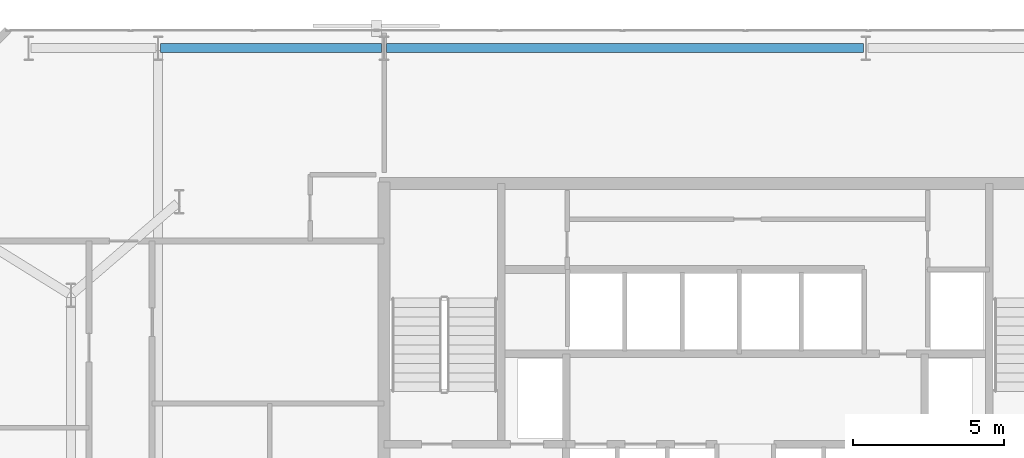
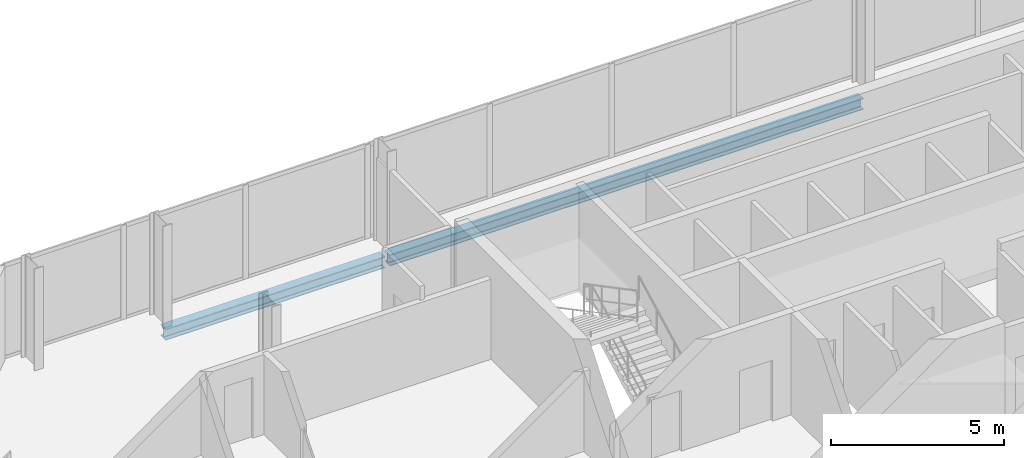
# One storey, part 21 of 33: 2 beams.
"""IFC4 building model written with IfcOpenShell, lengths in metres."""

from ifc_helpers import new_model, si_unit, direction, frame, origin, origin_2d, place, context, subcontext, project, spatial, i_section, extrude, material, material_profile, profile_set, type_object, element, save


model = new_model("IFC4")

# Units and contexts
model_context = context("Model", 3, precision=1e-05, world=origin(), true_north=direction((0.0, 1.0)))
body_context = subcontext(model_context, "Body", "Model", "MODEL_VIEW")
ifc_project = project(units=[si_unit("LENGTHUNIT", "METRE"), si_unit("AREAUNIT", "SQUARE_METRE"), si_unit("VOLUMEUNIT", "CUBIC_METRE"), si_unit("PLANEANGLEUNIT", "RADIAN"), si_unit("MASSUNIT", "GRAM", prefix="KILO")], contexts=[model_context])

# Site, building, storey
site_placement = place(None, origin())
site = spatial("IfcSite", under=ifc_project, at=site_placement, CompositionType="ELEMENT")
building_placement = place(site_placement, origin())
building = spatial("IfcBuilding", under=site, at=building_placement, Name="Catumbela Crestline Tower", CompositionType="ELEMENT")
storey_placement = place(building_placement, frame((0.0, 0.0, 72.6)))
storey = spatial("IfcBuildingStorey", under=building, at=storey_placement, Name="L18", CompositionType="ELEMENT", Elevation=72.6)

# Beams
ifc_material = material(Name="Structural steel S355J2", Category="steel")
ifc_material_profile = material_profile(ifc_material, i_section(OverallWidth=0.3, OverallDepth=0.4, WebThickness=0.0135, FlangeThickness=0.024, FilletRadius=0.027, at=origin_2d()), Name="HEB 400")
ifc_profile_set = profile_set([ifc_material_profile], Name="Structural steel S355J2")
beam_type = type_object("IfcBeamType", Name="BS-HEB400", PredefinedType="SPANDREL", material=ifc_profile_set)
beam_1_placement = place(storey_placement, frame((8.58, 47.4, -0.46), z_axis=(1.0, 0.0, 0.0), x_axis=(0.0, 1.0, 0.0)))
element("IfcBeam", 1, at=beam_1_placement, inside=storey, type_object=beam_type, Name="L18 Spandrel SP-L18-NF20", PredefinedType="SPANDREL", context=body_context, shape_type="SweptSolid", body=[
    extrude(i_section(OverallWidth=0.3, OverallDepth=0.4, WebThickness=0.0135, FlangeThickness=0.024, FilletRadius=0.027, at=origin_2d()), origin(), (0.0, 0.0, 1.0), 7.34),
])
beam_2_placement = place(storey_placement, frame((16.08, 47.4, -0.46), z_axis=(1.0, 0.0, 0.0), x_axis=(0.0, 1.0, 0.0)))
element("IfcBeam", 2, at=beam_2_placement, inside=storey, type_object=beam_type, Name="L18 Spandrel SP-L18-NF21", PredefinedType="SPANDREL", context=body_context, shape_type="SweptSolid", body=[
    extrude(i_section(OverallWidth=0.3, OverallDepth=0.4, WebThickness=0.0135, FlangeThickness=0.024, FilletRadius=0.027, at=origin_2d()), origin(), (0.0, 0.0, 1.0), 15.84),
])

save(model, "model.ifc")
